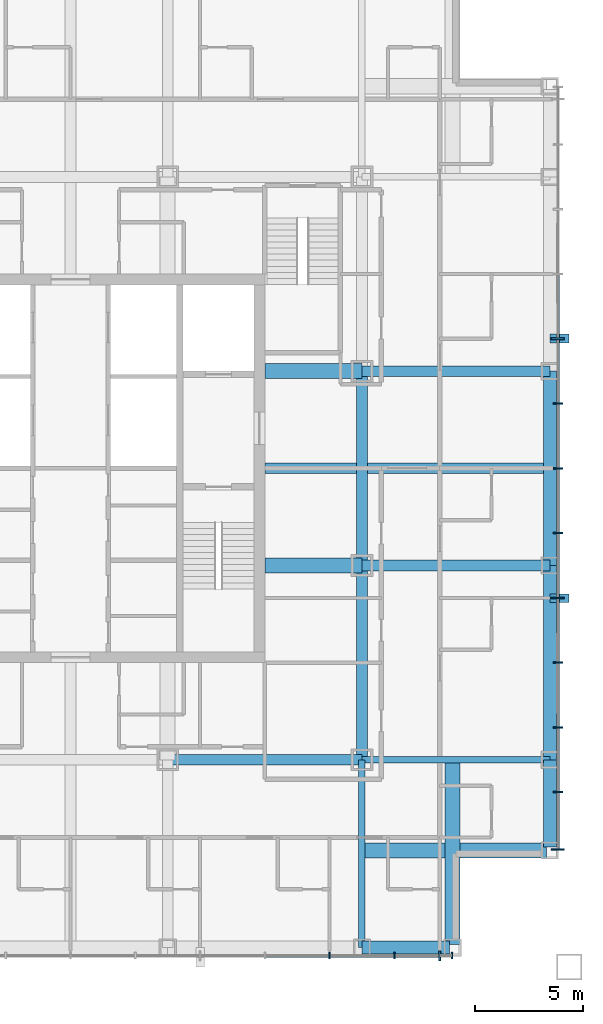
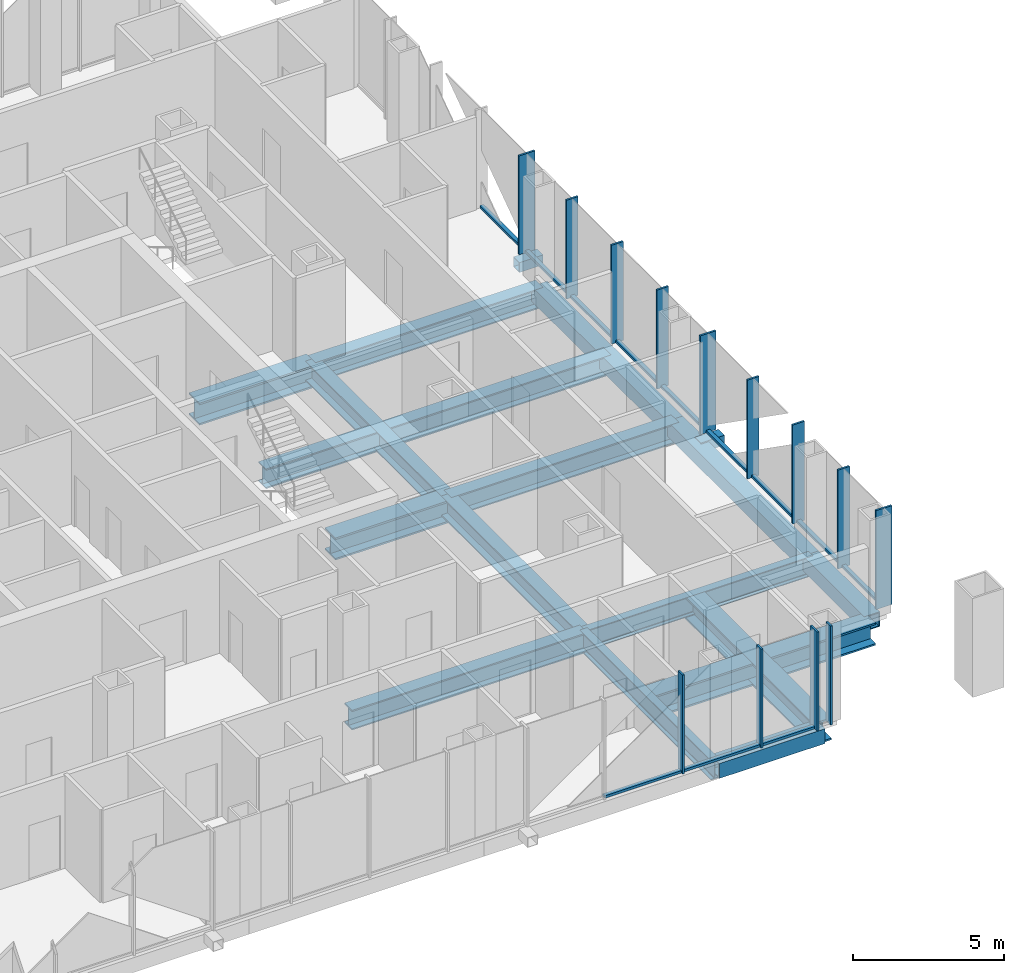
# One storey, part 3 of 16: 27 members, 16 beams, 2 elements without a shape of their own.
"""IFC4 building model written with IfcOpenShell, lengths in metres."""

from ifc_helpers import new_model, si_unit, direction, frame, origin, origin_2d, place, context, subcontext, project, spatial, rectangle, hollow_rectangle, i_section, extrude, material, layer, layer_set, material_profile, profile_set, type_object, element, aggregate, save


model = new_model("IFC4")

# Units and contexts
model_context = context("Model", 3, precision=1e-05, world=origin(), true_north=direction((0.0, 1.0)))
body_context = subcontext(model_context, "Body", "Model", "MODEL_VIEW")
ifc_project = project(units=[si_unit("LENGTHUNIT", "METRE"), si_unit("AREAUNIT", "SQUARE_METRE"), si_unit("VOLUMEUNIT", "CUBIC_METRE"), si_unit("PLANEANGLEUNIT", "RADIAN"), si_unit("MASSUNIT", "GRAM", prefix="KILO")], contexts=[model_context])

# Site, building, storey
site_placement = place(None, origin())
site = spatial("IfcSite", under=ifc_project, at=site_placement, CompositionType="ELEMENT")
building_placement = place(site_placement, origin())
building = spatial("IfcBuilding", under=site, at=building_placement, Name="Malebo Sky Hospital", CompositionType="ELEMENT")
storey_placement = place(building_placement, frame((0.0, 0.0, 197.0)))
storey = spatial("IfcBuildingStorey", under=building, at=storey_placement, Name="L47", CompositionType="ELEMENT", Elevation=197.0)

# Curtain wall, members
ifc_material_1 = material(Name="Anodised aluminium, natural silver", Category="aluminium")
ifc_layer_1 = layer(ifc_material_1, 0.25)
ifc_layer_set_1 = layer_set([ifc_layer_1], Name="WARD CURTAIN WALL NORTH AND SOUTH")
curtain_wall_type_1 = type_object("IfcCurtainWallType", Name="WARD CURTAIN WALL NORTH AND SOUTH", PredefinedType="NOTDEFINED", material=ifc_layer_set_1)
curtain_wall_1_placement = place(storey_placement, origin())
curtain_wall_1 = element("IfcCurtainWall", 1, at=curtain_wall_1_placement, inside=storey, type_object=curtain_wall_type_1, Name="NS curtain wall S", PredefinedType="NOTDEFINED")
ifc_material_profile_1 = material_profile(ifc_material_1, rectangle(XDim=0.14990234375, YDim=0.10009765625, at=origin_2d()), Name="ALUMINIUM TRANSOM 150x100")
ifc_profile_set_1 = profile_set([ifc_material_profile_1], Name="Anodised aluminium, natural silver")
member_type_1 = type_object("IfcMemberType", Name="ALUMINIUM TRANSOM 150x100", PredefinedType="USERDEFINED", material=ifc_profile_set_1)
member_1_placement = place(storey_placement, frame((77.0625, 39.425048828125, 0.050048828125), z_axis=(-1.0, 0.0, 0.0), x_axis=(0.0, -1.0, 0.0)))
member_1 = element("IfcMember", 2, at=member_1_placement, type_object=member_type_1, Name="Transom 2", ObjectType="TRANSOM", PredefinedType="USERDEFINED", context=body_context, shape_type="SweptSolid", body=[
    extrude(rectangle(XDim=0.14990234375, YDim=0.10009765625, at=origin_2d()), origin(), (0.0, 0.0, 1.0), 2.02490234375),
])
member_2_placement = place(storey_placement, frame((74.96240234375, 39.425048828125, 0.050048828125), z_axis=(-1.0, 0.0, 0.0), x_axis=(0.0, -1.0, 0.0)))
member_2 = element("IfcMember", 3, at=member_2_placement, type_object=member_type_1, Name="Transom 3", ObjectType="TRANSOM", PredefinedType="USERDEFINED", context=body_context, shape_type="SweptSolid", body=[
    extrude(rectangle(XDim=0.14990234375, YDim=0.10009765625, at=origin_2d()), origin(), (0.0, 0.0, 1.0), 2.9248046875),
])
member_3_placement = place(storey_placement, frame((71.96240234375, 39.425048828125, 0.050048828125), z_axis=(-1.0, 0.0, 0.0), x_axis=(0.0, -1.0, 0.0)))
member_3 = element("IfcMember", 4, at=member_3_placement, type_object=member_type_1, Name="Transom 4", ObjectType="TRANSOM", PredefinedType="USERDEFINED", context=body_context, shape_type="SweptSolid", body=[
    extrude(rectangle(XDim=0.14990234375, YDim=0.10009765625, at=origin_2d()), origin(), (0.0, 0.0, 1.0), 2.9248046875),
])

ifc_layer_2 = layer(ifc_material_1, 0.25)
ifc_layer_set_2 = layer_set([ifc_layer_2], Name="WARD CURTAIN WALL EAST AND WEST")
curtain_wall_type_2 = type_object("IfcCurtainWallType", Name="WARD CURTAIN WALL EAST AND WEST", PredefinedType="NOTDEFINED", material=ifc_layer_set_2)
curtain_wall_2_placement = place(storey_placement, origin())
curtain_wall_2 = element("IfcCurtainWall", 5, at=curtain_wall_2_placement, inside=storey, type_object=curtain_wall_type_2, Name="EW curtain wall E", PredefinedType="NOTDEFINED")
member_4_placement = place(storey_placement, frame((82.574951171875, 70.96240234375, 0.050048828125), z_axis=(0.0, -1.0, 0.0), x_axis=(1.0, 0.0, 0.0)))
member_4 = element("IfcMember", 6, at=member_4_placement, type_object=member_type_1, Name="Transom 5", ObjectType="TRANSOM", PredefinedType="USERDEFINED", context=body_context, shape_type="SweptSolid", body=[
    extrude(rectangle(XDim=0.14990234375, YDim=0.10009765625, at=origin_2d()), origin(), (0.0, 0.0, 1.0), 2.9248046875),
])
member_5_placement = place(storey_placement, frame((82.574951171875, 67.96240234375, 0.050048828125), z_axis=(0.0, -1.0, 0.0), x_axis=(1.0, 0.0, 0.0)))
member_5 = element("IfcMember", 7, at=member_5_placement, type_object=member_type_1, Name="Transom 6", ObjectType="TRANSOM", PredefinedType="USERDEFINED", context=body_context, shape_type="SweptSolid", body=[
    extrude(rectangle(XDim=0.14990234375, YDim=0.10009765625, at=origin_2d()), origin(), (0.0, 0.0, 1.0), 2.9248046875),
])
member_6_placement = place(storey_placement, frame((82.574951171875, 64.96240234375, 0.050048828125), z_axis=(0.0, -1.0, 0.0), x_axis=(1.0, 0.0, 0.0)))
member_6 = element("IfcMember", 8, at=member_6_placement, type_object=member_type_1, Name="Transom 7", ObjectType="TRANSOM", PredefinedType="USERDEFINED", context=body_context, shape_type="SweptSolid", body=[
    extrude(rectangle(XDim=0.14990234375, YDim=0.10009765625, at=origin_2d()), origin(), (0.0, 0.0, 1.0), 2.9248046875),
])
member_7_placement = place(storey_placement, frame((82.574951171875, 61.96240234375, 0.050048828125), z_axis=(0.0, -1.0, 0.0), x_axis=(1.0, 0.0, 0.0)))
member_7 = element("IfcMember", 9, at=member_7_placement, type_object=member_type_1, Name="Transom 8", ObjectType="TRANSOM", PredefinedType="USERDEFINED", context=body_context, shape_type="SweptSolid", body=[
    extrude(rectangle(XDim=0.14990234375, YDim=0.10009765625, at=origin_2d()), origin(), (0.0, 0.0, 1.0), 2.9248046875),
])
member_8_placement = place(storey_placement, frame((82.574951171875, 58.96240234375, 0.050048828125), z_axis=(0.0, -1.0, 0.0), x_axis=(1.0, 0.0, 0.0)))
member_8 = element("IfcMember", 10, at=member_8_placement, type_object=member_type_1, Name="Transom 9", ObjectType="TRANSOM", PredefinedType="USERDEFINED", context=body_context, shape_type="SweptSolid", body=[
    extrude(rectangle(XDim=0.14990234375, YDim=0.10009765625, at=origin_2d()), origin(), (0.0, 0.0, 1.0), 2.9248046875),
])
member_9_placement = place(storey_placement, frame((82.574951171875, 55.96240234375, 0.050048828125), z_axis=(0.0, -1.0, 0.0), x_axis=(1.0, 0.0, 0.0)))
member_9 = element("IfcMember", 11, at=member_9_placement, type_object=member_type_1, Name="Transom 10", ObjectType="TRANSOM", PredefinedType="USERDEFINED", context=body_context, shape_type="SweptSolid", body=[
    extrude(rectangle(XDim=0.14990234375, YDim=0.10009765625, at=origin_2d()), origin(), (0.0, 0.0, 1.0), 2.9248046875),
])
member_10_placement = place(storey_placement, frame((82.574951171875, 52.96240234375, 0.050048828125), z_axis=(0.0, -1.0, 0.0), x_axis=(1.0, 0.0, 0.0)))
member_10 = element("IfcMember", 12, at=member_10_placement, type_object=member_type_1, Name="Transom 11", ObjectType="TRANSOM", PredefinedType="USERDEFINED", context=body_context, shape_type="SweptSolid", body=[
    extrude(rectangle(XDim=0.14990234375, YDim=0.10009765625, at=origin_2d()), origin(), (0.0, 0.0, 1.0), 2.9248046875),
])
member_11_placement = place(storey_placement, frame((82.574951171875, 49.96240234375, 0.050048828125), z_axis=(0.0, -1.0, 0.0), x_axis=(1.0, 0.0, 0.0)))
member_11 = element("IfcMember", 13, at=member_11_placement, type_object=member_type_1, Name="Transom 12", ObjectType="TRANSOM", PredefinedType="USERDEFINED", context=body_context, shape_type="SweptSolid", body=[
    extrude(rectangle(XDim=0.14990234375, YDim=0.10009765625, at=origin_2d()), origin(), (0.0, 0.0, 1.0), 2.9248046875),
])
member_12_placement = place(storey_placement, frame((82.574951171875, 46.96240234375, 0.050048828125), z_axis=(0.0, -1.0, 0.0), x_axis=(1.0, 0.0, 0.0)))
member_12 = element("IfcMember", 14, at=member_12_placement, type_object=member_type_1, Name="Transom 13", ObjectType="TRANSOM", PredefinedType="USERDEFINED", context=body_context, shape_type="SweptSolid", body=[
    extrude(rectangle(XDim=0.14990234375, YDim=0.10009765625, at=origin_2d()), origin(), (0.0, 0.0, 1.0), 2.58740234375),
])

# Members
ifc_material_2 = material(Name="Steel S355", Category="steel")
ifc_material_profile_2 = material_profile(ifc_material_2, hollow_rectangle(XDim=0.39990234375, YDim=0.39990234375, WallThickness=0.02001953125, at=origin_2d()), Name="SHS 400x20")
ifc_profile_set_2 = profile_set([ifc_material_profile_2], Name="Steel S355")
member_type_2 = type_object("IfcMemberType", Name="BRACE STRUT SHS 400x20", PredefinedType="STRUT", material=ifc_profile_set_2)
for number, where, z_axis, x_axis, name in (
    (15, (83.10009765625, 68.01513671875, -0.39990234375), (-1.0, 0.0, 0.0), (0.0, -1.0, 0.0), "Brace strut CE1 L47"),
    (16, (83.10009765625, 55.98486328125, -0.39990234375), (-1.0, 0.0, 0.0), (0.0, -1.0, 0.0), "Brace strut CE2 L47"),
):
    element("IfcMember", number, at=place(storey_placement, frame(where, z_axis=z_axis, x_axis=x_axis)), inside=storey, type_object=member_type_2, Name=name, PredefinedType="STRUT", context=body_context, shape_type="SweptSolid", body=[
        extrude(hollow_rectangle(XDim=0.39990234375, YDim=0.39990234375, WallThickness=0.02001953125, at=origin_2d()), origin(), (0.0, 0.0, 1.0), 0.900146484375),
    ])

# Member
ifc_material_profile_3 = material_profile(ifc_material_1, rectangle(XDim=0.074951171875, YDim=0.300048828125, at=origin_2d()), Name="CW1 ALUMINIUM FIN MULLION 75x300")
ifc_profile_set_3 = profile_set([ifc_material_profile_3], Name="Anodised aluminium, natural silver")
member_type_3 = type_object("IfcMemberType", Name="CW1 ALUMINIUM FIN MULLION 75x300", PredefinedType="MULLION", material=ifc_profile_set_3)
member_13_placement = place(storey_placement, frame((77.66259765625, 39.425048828125, 0.0), z_axis=(0.0, 0.0, 1.0), x_axis=(-1.0, 0.0, 0.0)))
member_13 = element("IfcMember", 17, at=member_13_placement, type_object=member_type_3, Name="Fin mullion 1", PredefinedType="MULLION", context=body_context, shape_type="SweptSolid", body=[
    extrude(rectangle(XDim=0.074951171875, YDim=0.300048828125, at=origin_2d()), origin(), (0.0, 0.0, 1.0), 4.0),
])

member_14_placement = place(storey_placement, frame((75.0, 39.425048828125, 0.0), z_axis=(0.0, 0.0, 1.0), x_axis=(-1.0, 0.0, 0.0)))
member_14 = element("IfcMember", 18, at=member_14_placement, type_object=member_type_3, Name="Fin mullion 3", PredefinedType="MULLION", context=body_context, shape_type="SweptSolid", body=[
    extrude(rectangle(XDim=0.074951171875, YDim=0.300048828125, at=origin_2d()), origin(), (0.0, 0.0, 1.0), 4.0),
])

member_15_placement = place(storey_placement, frame((72.0, 39.425048828125, 0.0), z_axis=(0.0, 0.0, 1.0), x_axis=(-1.0, 0.0, 0.0)))
member_15 = element("IfcMember", 19, at=member_15_placement, type_object=member_type_3, Name="Fin mullion 4", PredefinedType="MULLION", context=body_context, shape_type="SweptSolid", body=[
    extrude(rectangle(XDim=0.074951171875, YDim=0.300048828125, at=origin_2d()), origin(), (0.0, 0.0, 1.0), 4.0),
])

ifc_material_profile_4 = material_profile(ifc_material_1, rectangle(XDim=0.074951171875, YDim=0.449951171875, at=origin_2d()), Name="CW1 ALUMINIUM FIN MULLION 75x450")
ifc_profile_set_4 = profile_set([ifc_material_profile_4], Name="Anodised aluminium, natural silver")
member_type_4 = type_object("IfcMemberType", Name="CW1 ALUMINIUM FIN MULLION 75x450", PredefinedType="MULLION", material=ifc_profile_set_4)
member_16_placement = place(storey_placement, frame((77.10009765625, 39.425048828125, 0.0), z_axis=(0.0, 0.0, 1.0), x_axis=(-1.0, 0.0, 0.0)))
member_16 = element("IfcMember", 20, at=member_16_placement, type_object=member_type_4, Name="Fin mullion 2", PredefinedType="MULLION", context=body_context, shape_type="SweptSolid", body=[
    extrude(rectangle(XDim=0.074951171875, YDim=0.449951171875, at=origin_2d()), origin(), (0.0, 0.0, 1.0), 4.0),
])

aggregate(curtain_wall_1, [member_13, member_16, member_14, member_15, member_1, member_2, member_3])

ifc_material_profile_5 = material_profile(ifc_material_1, rectangle(XDim=0.074951171875, YDim=0.449951171875, at=origin_2d()), Name="CW2 ALUMINIUM FIN MULLION 75x450")
ifc_profile_set_5 = profile_set([ifc_material_profile_5], Name="Anodised aluminium, natural silver")
member_type_5 = type_object("IfcMemberType", Name="CW2 ALUMINIUM FIN MULLION 75x450", PredefinedType="MULLION", material=ifc_profile_set_5)
member_17_placement = place(storey_placement, frame((82.574951171875, 65.0, 0.0), z_axis=(0.0, 0.0, 1.0), x_axis=(0.0, -1.0, 0.0)))
member_17 = element("IfcMember", 21, at=member_17_placement, type_object=member_type_5, Name="Fin mullion 7", PredefinedType="MULLION", context=body_context, shape_type="SweptSolid", body=[
    extrude(rectangle(XDim=0.074951171875, YDim=0.449951171875, at=origin_2d()), origin(), (0.0, 0.0, 1.0), 4.0),
])

member_18_placement = place(storey_placement, frame((82.574951171875, 62.0, 0.0), z_axis=(0.0, 0.0, 1.0), x_axis=(0.0, -1.0, 0.0)))
member_18 = element("IfcMember", 22, at=member_18_placement, type_object=member_type_5, Name="Fin mullion 8", PredefinedType="MULLION", context=body_context, shape_type="SweptSolid", body=[
    extrude(rectangle(XDim=0.074951171875, YDim=0.449951171875, at=origin_2d()), origin(), (0.0, 0.0, 1.0), 4.0),
])

member_19_placement = place(storey_placement, frame((82.574951171875, 59.0, 0.0), z_axis=(0.0, 0.0, 1.0), x_axis=(0.0, -1.0, 0.0)))
member_19 = element("IfcMember", 23, at=member_19_placement, type_object=member_type_5, Name="Fin mullion 9", PredefinedType="MULLION", context=body_context, shape_type="SweptSolid", body=[
    extrude(rectangle(XDim=0.074951171875, YDim=0.449951171875, at=origin_2d()), origin(), (0.0, 0.0, 1.0), 4.0),
])

member_20_placement = place(storey_placement, frame((82.574951171875, 53.0, 0.0), z_axis=(0.0, 0.0, 1.0), x_axis=(0.0, -1.0, 0.0)))
member_20 = element("IfcMember", 24, at=member_20_placement, type_object=member_type_5, Name="Fin mullion 11", PredefinedType="MULLION", context=body_context, shape_type="SweptSolid", body=[
    extrude(rectangle(XDim=0.074951171875, YDim=0.449951171875, at=origin_2d()), origin(), (0.0, 0.0, 1.0), 4.0),
])

member_21_placement = place(storey_placement, frame((82.574951171875, 50.0, 0.0), z_axis=(0.0, 0.0, 1.0), x_axis=(0.0, -1.0, 0.0)))
member_21 = element("IfcMember", 25, at=member_21_placement, type_object=member_type_5, Name="Fin mullion 12", PredefinedType="MULLION", context=body_context, shape_type="SweptSolid", body=[
    extrude(rectangle(XDim=0.074951171875, YDim=0.449951171875, at=origin_2d()), origin(), (0.0, 0.0, 1.0), 4.0),
])

member_22_placement = place(storey_placement, frame((82.574951171875, 47.0, 0.0), z_axis=(0.0, 0.0, 1.0), x_axis=(0.0, -1.0, 0.0)))
member_22 = element("IfcMember", 26, at=member_22_placement, type_object=member_type_5, Name="Fin mullion 13", PredefinedType="MULLION", context=body_context, shape_type="SweptSolid", body=[
    extrude(rectangle(XDim=0.074951171875, YDim=0.449951171875, at=origin_2d()), origin(), (0.0, 0.0, 1.0), 4.0),
])

ifc_material_profile_6 = material_profile(ifc_material_1, rectangle(XDim=0.074951171875, YDim=0.60009765625, at=origin_2d()), Name="CW2 ALUMINIUM FIN MULLION 75x600")
ifc_profile_set_6 = profile_set([ifc_material_profile_6], Name="Anodised aluminium, natural silver")
member_type_6 = type_object("IfcMemberType", Name="CW2 ALUMINIUM FIN MULLION 75x600", PredefinedType="MULLION", material=ifc_profile_set_6)
member_23_placement = place(storey_placement, frame((82.574951171875, 68.0, 0.0), z_axis=(0.0, 0.0, 1.0), x_axis=(0.0, -1.0, 0.0)))
member_23 = element("IfcMember", 27, at=member_23_placement, type_object=member_type_6, Name="Fin mullion 6", PredefinedType="MULLION", context=body_context, shape_type="SweptSolid", body=[
    extrude(rectangle(XDim=0.074951171875, YDim=0.60009765625, at=origin_2d()), origin(), (0.0, 0.0, 1.0), 4.0),
])

member_24_placement = place(storey_placement, frame((82.574951171875, 56.0, 0.0), z_axis=(0.0, 0.0, 1.0), x_axis=(0.0, -1.0, 0.0)))
member_24 = element("IfcMember", 28, at=member_24_placement, type_object=member_type_6, Name="Fin mullion 10", PredefinedType="MULLION", context=body_context, shape_type="SweptSolid", body=[
    extrude(rectangle(XDim=0.074951171875, YDim=0.60009765625, at=origin_2d()), origin(), (0.0, 0.0, 1.0), 4.0),
])

member_25_placement = place(storey_placement, frame((82.574951171875, 44.33740234375, 0.0), z_axis=(0.0, 0.0, 1.0), x_axis=(0.0, -1.0, 0.0)))
member_25 = element("IfcMember", 29, at=member_25_placement, type_object=member_type_6, Name="Fin mullion 14", PredefinedType="MULLION", context=body_context, shape_type="SweptSolid", body=[
    extrude(rectangle(XDim=0.074951171875, YDim=0.60009765625, at=origin_2d()), origin(), (0.0, 0.0, 1.0), 4.0),
])

aggregate(curtain_wall_2, [member_23, member_17, member_18, member_19, member_24, member_20, member_21, member_22, member_25, member_4, member_5, member_6, member_7, member_8, member_9, member_10, member_11, member_12])

# Beams
ifc_material_3 = material(Name="Steel S460", Category="steel")
ifc_material_profile_7 = material_profile(ifc_material_3, hollow_rectangle(XDim=0.60009765625, YDim=0.60009765625, WallThickness=0.0400390625, at=origin_2d()), Name="BOX 600x600x40")
ifc_profile_set_7 = profile_set([ifc_material_profile_7], Name="Steel S460")
beam_type_1 = type_object("IfcBeamType", Name="EDGE BEAM BOX 600x600x40", PredefinedType="BEAM", material=ifc_profile_set_7)
beam_1_placement = place(storey_placement, frame((82.199951171875, 44.449951171875, -0.550048828125), z_axis=(0.0, 1.0, 0.0), x_axis=(-1.0, 0.0, 0.0)))
element("IfcBeam", 30, at=beam_1_placement, inside=storey, type_object=beam_type_1, Name="Beam 029 L47", PredefinedType="BEAM", context=body_context, shape_type="SweptSolid", body=[
    extrude(hollow_rectangle(XDim=0.60009765625, YDim=0.60009765625, WallThickness=0.0400390625, at=origin_2d()), origin(), (0.0, 0.0, 1.0), 4.050048828125),
])
for number, where, z_axis, x_axis, name in (
    (31, (82.199951171875, 48.5, -0.550048828125), (0.0, 1.0, 0.0), (-1.0, 0.0, 0.0), "Beam 030 L47"),
    (32, (82.199951171875, 57.5, -0.550048828125), (0.0, 1.0, 0.0), (-1.0, 0.0, 0.0), "Beam 031 L47"),
):
    element("IfcBeam", number, at=place(storey_placement, frame(where, z_axis=z_axis, x_axis=x_axis)), inside=storey, type_object=beam_type_1, Name=name, PredefinedType="BEAM", context=body_context, shape_type="SweptSolid", body=[
        extrude(hollow_rectangle(XDim=0.60009765625, YDim=0.60009765625, WallThickness=0.0400390625, at=origin_2d()), origin(), (0.0, 0.0, 1.0), 9.0),
    ])
beam_2_placement = place(storey_placement, frame((73.5, 39.800048828125, -0.550048828125), z_axis=(1.0, 0.0, 0.0), x_axis=(0.0, 1.0, 0.0)))
element("IfcBeam", 33, at=beam_2_placement, inside=storey, type_object=beam_type_1, Name="Beam 038 L47", PredefinedType="BEAM", context=body_context, shape_type="SweptSolid", body=[
    extrude(hollow_rectangle(XDim=0.60009765625, YDim=0.60009765625, WallThickness=0.0400390625, at=origin_2d()), origin(), (0.0, 0.0, 1.0), 4.050048828125),
])
ifc_material_profile_8 = material_profile(ifc_material_2, i_section(OverallWidth=0.5, OverallDepth=0.800048828125, WebThickness=0.030029296875, FlangeThickness=0.050048828125, at=origin_2d()), Name="PG 800x500x30x50")
ifc_profile_set_8 = profile_set([ifc_material_profile_8], Name="Steel S355")
beam_type_2 = type_object("IfcBeamType", Name="FLOOR BEAM PG 800x500x30x50", PredefinedType="BEAM", material=ifc_profile_set_8)
for number, where, z_axis, x_axis, name in (
    (34, (73.5, 48.5, -0.64990234375), (0.0, 1.0, 0.0), (-1.0, 0.0, 0.0), "Beam 023 L47"),
    (35, (64.5, 48.5, -0.64990234375), (1.0, 0.0, 0.0), (0.0, 1.0, 0.0), "Beam 044 L47"),
):
    element("IfcBeam", number, at=place(storey_placement, frame(where, z_axis=z_axis, x_axis=x_axis)), inside=storey, type_object=beam_type_2, Name=name, PredefinedType="BEAM", context=body_context, shape_type="SweptSolid", body=[
        extrude(i_section(OverallWidth=0.5, OverallDepth=0.800048828125, WebThickness=0.030029296875, FlangeThickness=0.050048828125, at=origin_2d()), origin(), (0.0, 0.0, 1.0), 9.0),
    ])
beam_3_placement = place(storey_placement, frame((73.5, 57.5, -0.64990234375), z_axis=(1.0, 0.0, 0.0), x_axis=(0.0, 1.0, 0.0)))
element("IfcBeam", 36, at=beam_3_placement, inside=storey, type_object=beam_type_2, Name="Beam 049 L47", PredefinedType="BEAM", context=body_context, shape_type="SweptSolid", body=[
    extrude(i_section(OverallWidth=0.5, OverallDepth=0.800048828125, WebThickness=0.030029296875, FlangeThickness=0.050048828125, at=origin_2d()), origin(), (0.0, 0.0, 1.0), 8.699951171875),
])
beam_4_placement = place(storey_placement, frame((69.0, 62.0, -0.64990234375), z_axis=(1.0, 0.0, 0.0), x_axis=(0.0, 1.0, 0.0)))
element("IfcBeam", 37, at=beam_4_placement, inside=storey, type_object=beam_type_2, Name="Beam 051 L47", PredefinedType="BEAM", context=body_context, shape_type="SweptSolid", body=[
    extrude(i_section(OverallWidth=0.5, OverallDepth=0.800048828125, WebThickness=0.030029296875, FlangeThickness=0.050048828125, at=origin_2d()), origin(), (0.0, 0.0, 1.0), 13.199951171875),
])
beam_5_placement = place(storey_placement, frame((73.5, 66.5, -0.64990234375), z_axis=(1.0, 0.0, 0.0), x_axis=(0.0, 1.0, 0.0)))
element("IfcBeam", 38, at=beam_5_placement, inside=storey, type_object=beam_type_2, Name="Beam 055 L47", PredefinedType="BEAM", context=body_context, shape_type="SweptSolid", body=[
    extrude(i_section(OverallWidth=0.5, OverallDepth=0.800048828125, WebThickness=0.030029296875, FlangeThickness=0.050048828125, at=origin_2d()), origin(), (0.0, 0.0, 1.0), 8.699951171875),
])
ifc_material_profile_9 = material_profile(ifc_material_2, i_section(OverallWidth=0.699951171875, OverallDepth=0.89990234375, WebThickness=0.0400390625, FlangeThickness=0.070068359375, at=origin_2d()), Name="PG 900x700x40x70")
ifc_profile_set_9 = profile_set([ifc_material_profile_9], Name="Steel S355")
beam_type_3 = type_object("IfcBeamType", Name="FLOOR BEAM PG 900x700x40x70", PredefinedType="BEAM", material=ifc_profile_set_9)
for number, where, z_axis, x_axis, name in (
    (39, (77.699951171875, 39.949951171875, -0.699951171875), (0.0, 1.0, 0.0), (-1.0, 0.0, 0.0), "Beam 027 L47"),
    (40, (73.5, 44.300048828125, -0.699951171875), (1.0, 0.0, 0.0), (0.0, 1.0, 0.0), "Beam 040 L47"),
):
    element("IfcBeam", number, at=place(storey_placement, frame(where, z_axis=z_axis, x_axis=x_axis)), inside=storey, type_object=beam_type_3, Name=name, PredefinedType="BEAM", context=body_context, shape_type="SweptSolid", body=[
        extrude(i_section(OverallWidth=0.699951171875, OverallDepth=0.89990234375, WebThickness=0.0400390625, FlangeThickness=0.070068359375, at=origin_2d()), origin(), (0.0, 0.0, 1.0), 8.550048828125),
    ])
for number, where, z_axis, x_axis, name in (
    (41, (69.0, 57.5, -0.699951171875), (1.0, 0.0, 0.0), (0.0, 1.0, 0.0), "Beam 048 L47"),
    (42, (69.0, 66.5, -0.699951171875), (1.0, 0.0, 0.0), (0.0, 1.0, 0.0), "Beam 054 L47"),
):
    element("IfcBeam", number, at=place(storey_placement, frame(where, z_axis=z_axis, x_axis=x_axis)), inside=storey, type_object=beam_type_3, Name=name, PredefinedType="BEAM", context=body_context, shape_type="SweptSolid", body=[
        extrude(i_section(OverallWidth=0.699951171875, OverallDepth=0.89990234375, WebThickness=0.0400390625, FlangeThickness=0.070068359375, at=origin_2d()), origin(), (0.0, 0.0, 1.0), 4.5),
    ])
ifc_material_profile_10 = material_profile(ifc_material_2, i_section(OverallWidth=0.300048828125, OverallDepth=0.800048828125, WebThickness=0.017578125, FlangeThickness=0.032958984375, FilletRadius=0.030029296875, at=origin_2d()), Name="HEB 800")
ifc_profile_set_10 = profile_set([ifc_material_profile_10], Name="Steel S355")
beam_type_4 = type_object("IfcBeamType", Name="FLOOR GIRDER HEB 800", PredefinedType="BEAM", material=ifc_profile_set_10)
for number, where, z_axis, x_axis, name in (
    (43, (73.5, 39.800048828125, -0.64990234375), (0.0, 1.0, 0.0), (-1.0, 0.0, 0.0), "Beam 022 L47"),
    (44, (73.5, 48.5, -0.64990234375), (1.0, 0.0, 0.0), (0.0, 1.0, 0.0), "Beam 045 L47"),
):
    element("IfcBeam", number, at=place(storey_placement, frame(where, z_axis=z_axis, x_axis=x_axis)), inside=storey, type_object=beam_type_4, Name=name, PredefinedType="BEAM", context=body_context, shape_type="SweptSolid", body=[
        extrude(i_section(OverallWidth=0.300048828125, OverallDepth=0.800048828125, WebThickness=0.017578125, FlangeThickness=0.032958984375, FilletRadius=0.030029296875, at=origin_2d()), origin(), (0.0, 0.0, 1.0), 8.699951171875),
    ])
ifc_material_profile_11 = material_profile(ifc_material_2, i_section(OverallWidth=0.5, OverallDepth=0.800048828125, WebThickness=0.030029296875, FlangeThickness=0.050048828125, at=origin_2d()), Name="PG 800x500x30x50")
ifc_profile_set_11 = profile_set([ifc_material_profile_11], Name="Steel S355")
beam_type_5 = type_object("IfcBeamType", Name="RING GIRDER PG 800x500x30x50", PredefinedType="BEAM", material=ifc_profile_set_11)
beam_6_placement = place(storey_placement, frame((73.5, 57.5, -0.64990234375), z_axis=(0.0, 1.0, 0.0), x_axis=(-1.0, 0.0, 0.0)))
element("IfcBeam", 45, at=beam_6_placement, inside=storey, type_object=beam_type_5, Name="Beam 024 L47", PredefinedType="BEAM", context=body_context, shape_type="SweptSolid", body=[
    extrude(i_section(OverallWidth=0.5, OverallDepth=0.800048828125, WebThickness=0.030029296875, FlangeThickness=0.050048828125, at=origin_2d()), origin(), (0.0, 0.0, 1.0), 9.0),
])

save(model, "model.ifc")
